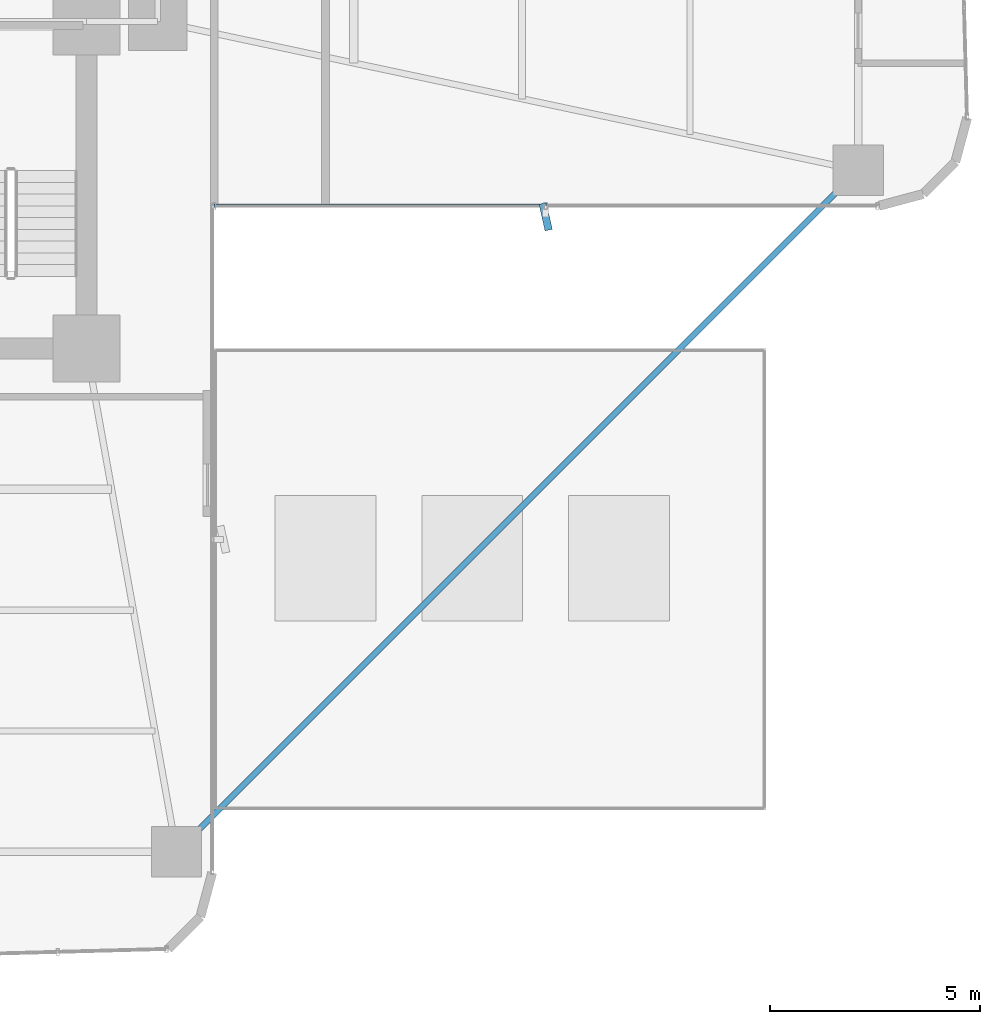
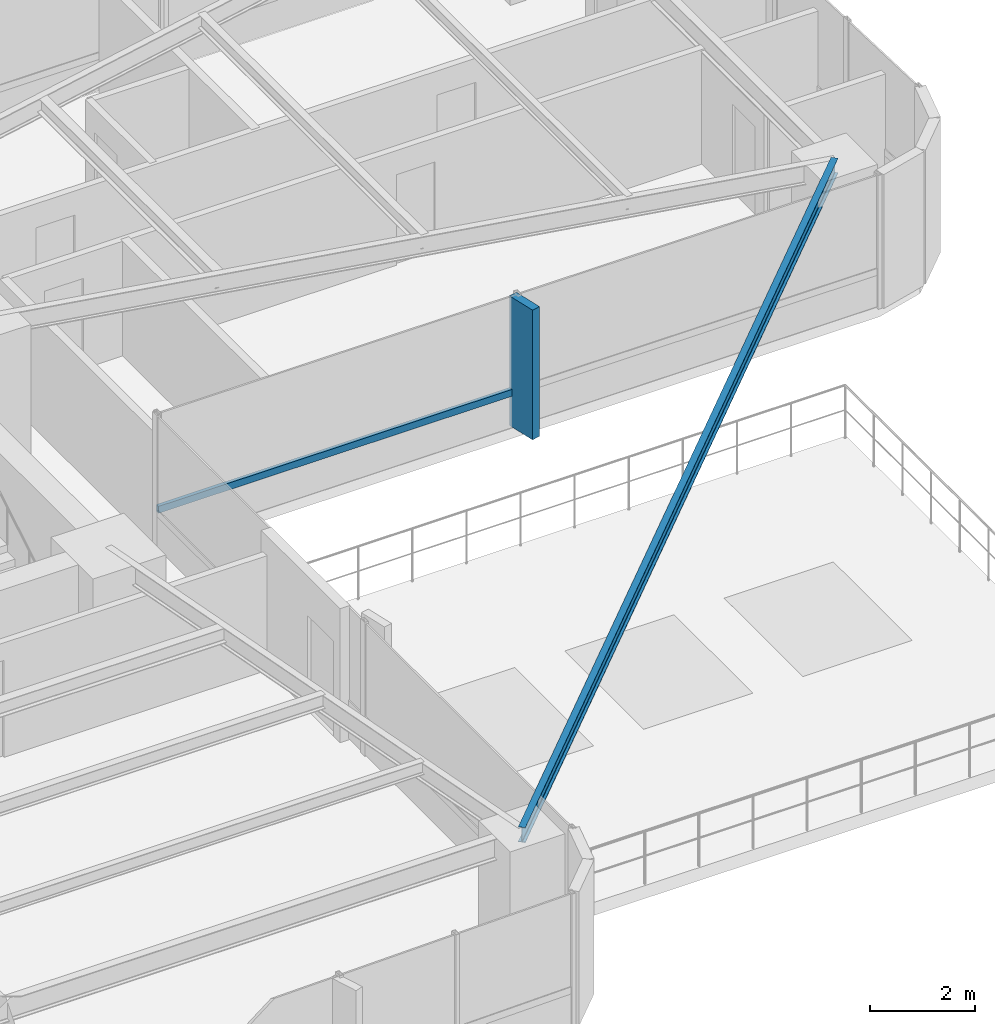
# One storey, part 12 of 27: 2 members, 1 beam, 1 element without a shape of its own.
"""IFC4 building model written with IfcOpenShell, lengths in metres."""

from ifc_helpers import new_model, si_unit, direction, frame, origin, origin_2d, place, context, subcontext, project, spatial, rectangle, hollow_rectangle, i_section, extrude, source, transform, mapped, material, material_profile, profile_set, type_object, element, aggregate, save


model = new_model("IFC4")

# Units and contexts
model_context = context("Model", 3, precision=1e-05, world=origin(), true_north=direction((0.0, 1.0)))
body_context = subcontext(model_context, "Body", "Model", "MODEL_VIEW")
ifc_project = project(units=[si_unit("LENGTHUNIT", "METRE"), si_unit("AREAUNIT", "SQUARE_METRE"), si_unit("VOLUMEUNIT", "CUBIC_METRE"), si_unit("PLANEANGLEUNIT", "RADIAN"), si_unit("MASSUNIT", "GRAM", prefix="KILO")], contexts=[model_context])

# Site, building, storey
site_placement = place(None, origin())
site = spatial("IfcSite", under=ifc_project, at=site_placement, CompositionType="ELEMENT")
building_placement = place(site_placement, origin())
building = spatial("IfcBuilding", under=site, at=building_placement, Name="Sahyath Konkavel Grand Hotel", CompositionType="ELEMENT")
storey_placement = place(building_placement, frame((0.0, 0.0, 23.10009765625)))
storey = spatial("IfcBuildingStorey", under=building, at=storey_placement, Name="L05", CompositionType="ELEMENT", Elevation=23.10009765625)

# Beam
ifc_material_1 = material(Name="Steel E350", Category="steel")
ifc_material_profile_1 = material_profile(ifc_material_1, i_section(OverallWidth=0.139892578125, OverallDepth=0.35009765625, WebThickness=0.008056640625, FlangeThickness=0.01416015625, FilletRadius=0.013916015625, at=origin_2d()), Name="ISMB 350")
ifc_profile_set_1 = profile_set([ifc_material_profile_1], Name="Steel E350")
beam_type = type_object("IfcBeamType", Name="BM-ISMB350", PredefinedType="BEAM", material=ifc_profile_set_1)
shared_shape_1 = source(origin(), body_context, "Body", "SweptSolid", [
    extrude(i_section(OverallWidth=0.139892578125, OverallDepth=0.35009765625, WebThickness=0.008056640625, FlangeThickness=0.01416015625, FilletRadius=0.013916015625, at=origin_2d()), origin(), (0.0, 0.0, 1.0), 22.98095703125),
])
beam_placement = place(storey_placement, frame((22.199951171875, -5.949951171875, 2.934814453125), z_axis=(-0.707106781187, -0.707106781187, 0.0), x_axis=(0.707106781187, -0.707106781187, 0.0)))
element("IfcBeam", 1, at=beam_placement, inside=storey, type_object=beam_type, Name="L05 Re-Entrant Tie Beam SE", PredefinedType="BEAM", context=body_context, shape_type="MappedRepresentation", body=[
    mapped(shared_shape_1, transform((0.0, 0.0, 0.0), scale=1.0)),
])

# Curtain wall, members
ifc_material_2 = material(Name="Anodised Bronze Aluminium & Low-E Glazing", Category="aluminium")
curtain_wall_type = type_object("IfcCurtainWallType", Name="CW-ZONE1", PredefinedType="NOTDEFINED", material=ifc_material_2)
curtain_wall_placement = place(storey_placement, origin())
curtain_wall = element("IfcCurtainWall", 2, at=curtain_wall_placement, inside=storey, type_object=curtain_wall_type, Name="L05 Unitised Curtain Wall F0", PredefinedType="NOTDEFINED")
ifc_material_3 = material(Name="Warm Buff Sandstone Cladding on Concrete C50/60", Category="masonry")
ifc_material_profile_2 = material_profile(ifc_material_3, rectangle(XDim=0.179931640625, YDim=0.64990234375, at=origin_2d()), Name="FIN 180x650")
ifc_profile_set_2 = profile_set([ifc_material_profile_2], Name="Warm Buff Sandstone Cladding on Concrete C50/60")
member_type_1 = type_object("IfcMemberType", Name="FIN-SANDSTONE-650", PredefinedType="MULLION", material=ifc_profile_set_2)
shared_shape_2 = source(origin(), body_context, "Body", "SweptSolid", [
    extrude(rectangle(XDim=0.179931640625, YDim=0.64990234375, at=origin_2d()), origin(), (0.0, 0.0, 1.0), 3.010009765625),
])
member_1_placement = place(storey_placement, frame((14.75, -7.06005859375, 0.0498046875), z_axis=(0.0, 0.0, 1.0), x_axis=(0.975419299024, 0.220356962886, 0.0)))
member_1 = element("IfcMember", 3, at=member_1_placement, type_object=member_type_1, Name="L05 Sandstone Vertical Solar Fin FIN F0-1", PredefinedType="MULLION", context=body_context, shape_type="MappedRepresentation", body=[
    mapped(shared_shape_2, transform((0.0, 0.0, 0.0), scale=1.0)),
])
ifc_material_4 = material(Name="Anodised Bronze Aluminium", Category="aluminium")
ifc_material_profile_3 = material_profile(ifc_material_4, hollow_rectangle(XDim=0.080078125, YDim=0.159912109375, WallThickness=0.006103515625, at=origin_2d()), Name="RHS 160x80x6")
ifc_profile_set_3 = profile_set([ifc_material_profile_3], Name="Anodised Bronze Aluminium")
member_type_2 = type_object("IfcMemberType", Name="CW-TRN-160", PredefinedType="USERDEFINED", material=ifc_profile_set_3)
shared_shape_3 = source(origin(), body_context, "Body", "SweptSolid", [
    extrude(hollow_rectangle(XDim=0.080078125, YDim=0.159912109375, WallThickness=0.006103515625, at=origin_2d()), origin(), (0.0, 0.0, 1.0), 7.909912109375),
])
member_2_placement = place(storey_placement, frame((6.840087890625, -6.800048828125, 0.849853515625), z_axis=(1.0, 0.0, 0.0), x_axis=(0.0, 1.0, 0.0)))
member_2 = element("IfcMember", 4, at=member_2_placement, type_object=member_type_2, Name="L05 Curtain Wall Transom F0-0-spandrel", ObjectType="TRANSOM", PredefinedType="USERDEFINED", context=body_context, shape_type="MappedRepresentation", body=[
    mapped(shared_shape_3, transform((0.0, 0.0, 0.0), scale=1.0)),
])
aggregate(curtain_wall, [member_1, member_2])

save(model, "model.ifc")
